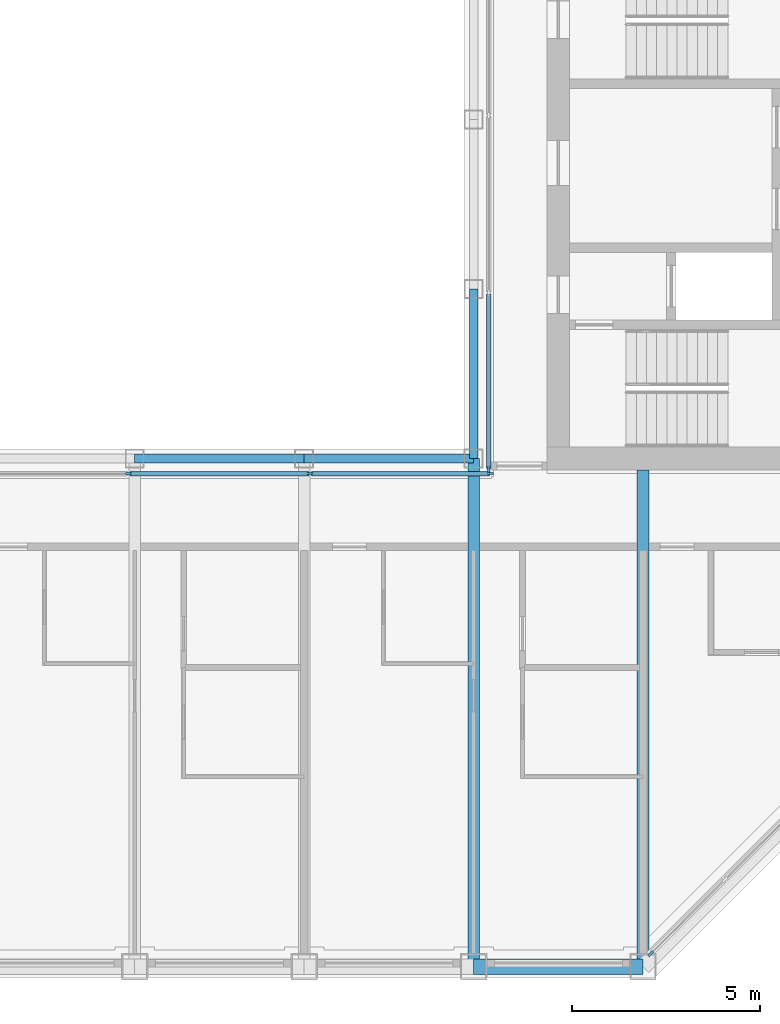
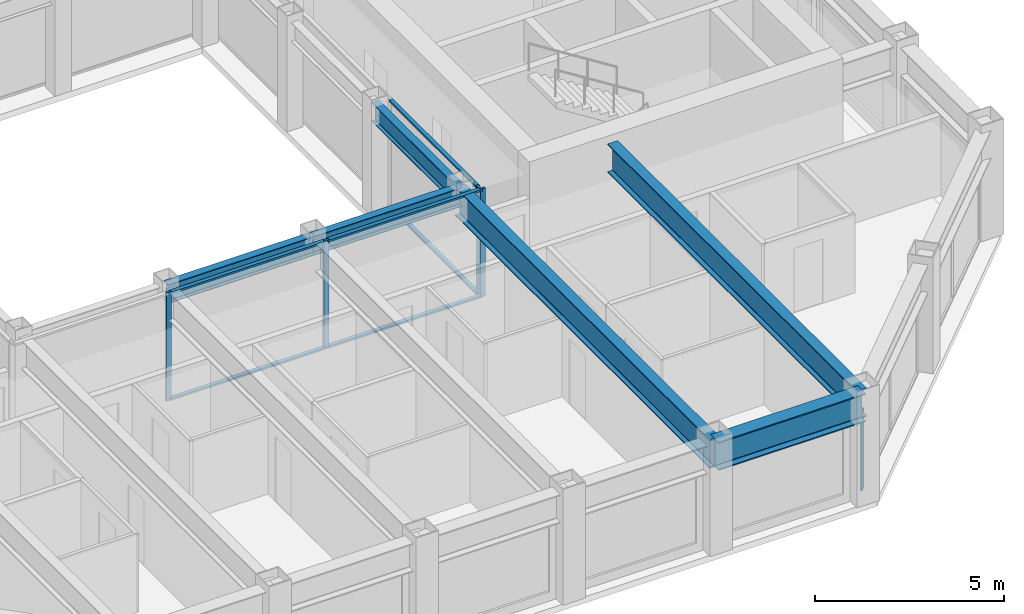
# One storey, part 3 of 17: 11 members, 6 beams, 3 elements without a shape of their own.
"""IFC4 building model written with IfcOpenShell, lengths in metres."""

import ifcopenshell
import ifcopenshell.guid

model = None  # the IFC model being written
_history = None  # IfcOwnerHistory: only IFC2X3 demands one
_inside = {}  # id of a spatial element -> (the spatial element, [elements in it])
_under = {}  # id of a project, library or spatial element -> (it, [spatial elements below it])
_declared = {}  # id of a project -> (the project, [libraries it declares])
_typed = {}  # id of a type object -> (the type object, [elements of that type])
_made_of = {}  # id of a material, layer set ... -> (it, [elements and type objects made of it])


def new_model(schema):
    """Start an empty IFC model of exactly this schema.

    Asked for "IFC4X3", IfcOpenShell would pick the latest addendum, in which some entities
    have other attributes; the version numbers below select the first issue.
    IFC2X3 requires an IfcOwnerHistory on every rooted entity: one is made here for all.
    """
    global model, _history
    if schema == "IFC4X3":
        model = ifcopenshell.file(schema_version=(4, 3, 0, 0))
    else:
        model = ifcopenshell.file(schema=schema)
    _inside.clear()
    _under.clear()
    _declared.clear()
    _typed.clear()
    _made_of.clear()
    _history = None
    if model.schema == "IFC2X3":
        org = make("IfcOrganization", Name="unknown")
        user = make(
            "IfcPersonAndOrganization",
            ThePerson=make("IfcPerson", FamilyName="unknown"),
            TheOrganization=org,
        )
        app = make(
            "IfcApplication",
            ApplicationDeveloper=org,
            Version="unknown",
            ApplicationFullName="unknown",
            ApplicationIdentifier="unknown",
        )
        _history = make(
            "IfcOwnerHistory",
            OwningUser=user,
            OwningApplication=app,
            ChangeAction="ADDED",
            CreationDate=0,
        )
    return model


def make(cls, **values):
    """One entity of the class cls with the attributes given. An attribute that is None is left unset."""
    return model.create_entity(
        cls, **{name: value for name, value in values.items() if value is not None}
    )


def rooted(cls, **values):
    """An entity with a GlobalId (a new one), such as an element, a storey or a relation."""
    return make(cls, GlobalId=ifcopenshell.guid.new(), OwnerHistory=_history, **values)


def si_unit(unit_type, name, prefix=None):
    """IfcSIUnit, for example si_unit("LENGTHUNIT", "METRE", prefix="MILLI")."""
    return make("IfcSIUnit", UnitType=unit_type, Prefix=prefix, Name=name)


def assignment(units):
    """IfcUnitAssignment: the units of a project."""
    return None if units is None else make("IfcUnitAssignment", Units=units)


def point(xyz):
    """IfcCartesianPoint."""
    return None if xyz is None else make("IfcCartesianPoint", Coordinates=xyz)


def direction(xyz):
    """IfcDirection."""
    return None if xyz is None else make("IfcDirection", DirectionRatios=xyz)


def frame(location, z_axis=None, x_axis=None):
    """IfcAxis2Placement3D, a coordinate frame: its origin and axes. An axis left out is left unset."""
    return make(
        "IfcAxis2Placement3D",
        Location=point(location),
        Axis=direction(z_axis),
        RefDirection=direction(x_axis),
    )


def frame_2d(location, x_axis=None):
    """IfcAxis2Placement2D, a coordinate frame in the plane: its origin and x axis."""
    return make(
        "IfcAxis2Placement2D", Location=point(location), RefDirection=direction(x_axis)
    )


def origin():
    """The frame at (0, 0, 0) with its axes left unset."""
    return frame((0.0, 0.0, 0.0))


def origin_2d():
    """The frame at (0, 0) in the plane with its x axis left unset."""
    return frame_2d((0.0, 0.0))


def place(relative_to, where):
    """IfcLocalPlacement: puts the frame where relative to a parent placement (None: the world)."""
    return make(
        "IfcLocalPlacement", PlacementRelTo=relative_to, RelativePlacement=where
    )


def context(
    kind, dimensions, precision=None, world=None, true_north=None, identifier=None
):
    """IfcGeometricRepresentationContext, for example the 3D "Model" context."""
    return make(
        "IfcGeometricRepresentationContext",
        ContextIdentifier=identifier,
        ContextType=kind,
        CoordinateSpaceDimension=dimensions,
        Precision=precision,
        WorldCoordinateSystem=world,
        TrueNorth=true_north,
    )


def subcontext(parent, identifier, kind, view, scale=None):
    """IfcGeometricRepresentationSubContext, for example "Body" below "Model"."""
    return make(
        "IfcGeometricRepresentationSubContext",
        ContextIdentifier=identifier,
        ContextType=kind,
        ParentContext=parent,
        TargetScale=scale,
        TargetView=view,
    )


def project(units=None, contexts=None):
    """IfcProject with its units and contexts."""
    return rooted(
        "IfcProject",
        Name="project",
        RepresentationContexts=contexts,
        UnitsInContext=assignment(units),
    )


def spatial(cls, under=None, at=None, **own):
    """A site, building, storey or space (cls), placed at a placement, below another one or the project."""
    s = rooted(cls, ObjectPlacement=at, **own)
    if under is not None:
        _under.setdefault(under.id(), (under, []))[1].append(s)
    return s


def profile(cls, at=None, kind="AREA", **sizes):
    """A parametric profile (cls). Its sizes go by their IFC names, for example OverallWidth=200.0."""
    return make(cls, ProfileType=kind, Position=at, **sizes)


def rectangle(**sizes):
    """IfcRectangleProfileDef."""
    return profile("IfcRectangleProfileDef", **sizes)


def i_section(**sizes):
    """IfcIShapeProfileDef."""
    return profile("IfcIShapeProfileDef", **sizes)


def extrude(swept, where, along, depth):
    """IfcExtrudedAreaSolid: the profile swept, set in the frame where, extruded along a direction by depth."""
    return make(
        "IfcExtrudedAreaSolid",
        SweptArea=swept,
        Position=where,
        ExtrudedDirection=direction(along),
        Depth=depth,
    )


def shape(context_of_items, identifier, shape_type, items):
    """IfcShapeRepresentation: the items that make up one representation, for example the "Body"."""
    return make(
        "IfcShapeRepresentation",
        ContextOfItems=context_of_items,
        RepresentationIdentifier=identifier,
        RepresentationType=shape_type,
        Items=items,
    )


def material(Name=None, Category=None):
    """IfcMaterial."""
    return make("IfcMaterial", Name=Name, Category=Category)


def material_profile(
    of_material, cross_section, Name=None, Category=None, Priority=None
):
    """IfcMaterialProfile: a cross section and its material."""
    return make(
        "IfcMaterialProfile",
        Name=Name,
        Material=of_material,
        Profile=cross_section,
        Priority=Priority,
        Category=Category,
    )


def profile_set(profiles, Name=None, composite=None):
    """IfcMaterialProfileSet."""
    return make(
        "IfcMaterialProfileSet",
        Name=Name,
        MaterialProfiles=profiles,
        CompositeProfile=composite,
    )


def made_of(thing, what):
    """Note that an element or type object is made of a material, layer set ...; save() writes the relation."""
    if what is not None:
        _made_of.setdefault(what.id(), (what, []))[1].append(thing)
    return thing


def type_object(cls, material=None, **own):
    """A type object (cls), such as IfcWallType, which elements share."""
    return made_of(rooted(cls, **own), material)


def element(
    cls,
    number,
    at=None,
    inside=None,
    cuts=None,
    type_object=None,
    material=None,
    context=None,
    identifier="Body",
    shape_type=None,
    held_by="IfcProductDefinitionShape",
    body=None,
    shapes=None,
    **own,
):
    """One element of the class cls, such as IfcWall. Its Tag is "e" and its number.

    at: its placement. inside: the storey or other place that contains it. cuts: it is an
    opening in that element (IfcRelVoidsElement). A single representation is given by context,
    identifier, shape_type and body (its items); several are given by shapes. held_by: the class
    of the entity that holds the representations. save() writes the other relations.
    """
    e = rooted(cls, Tag="e%d" % number, ObjectPlacement=at, **own)
    if body is not None:
        shapes = [shape(context, identifier, shape_type, body)]
    if shapes is not None:
        e.Representation = make(held_by, Representations=shapes)
    if inside is not None:
        _inside.setdefault(inside.id(), (inside, []))[1].append(e)
    if cuts is not None:
        rooted(
            "IfcRelVoidsElement", RelatingBuildingElement=cuts, RelatedOpeningElement=e
        )
    if type_object is not None:
        _typed.setdefault(type_object.id(), (type_object, []))[1].append(e)
    return made_of(e, material)


def aggregate(whole, parts):
    """IfcRelAggregates: a whole, such as a stair, and the parts it consists of."""
    return rooted("IfcRelAggregates", RelatingObject=whole, RelatedObjects=parts)


def save(model, path):
    """Write the relations noted so far, then the file.

    IfcRelAggregates (storeys below a building ...), IfcRelContainedInSpatialStructure (elements
    in a storey), IfcRelDefinesByType, IfcRelAssociatesMaterial and IfcRelDeclares: one each for
    every whole, place, type object, material and project.
    """
    for whole, parts in _under.values():
        aggregate(whole, parts)
    for where, things in _inside.values():
        rooted(
            "IfcRelContainedInSpatialStructure",
            RelatedElements=things,
            RelatingStructure=where,
        )
    for kind, things in _typed.values():
        rooted("IfcRelDefinesByType", RelatedObjects=things, RelatingType=kind)
    for what, things in _made_of.values():
        rooted("IfcRelAssociatesMaterial", RelatedObjects=things, RelatingMaterial=what)
    for by, libraries in _declared.values():
        rooted("IfcRelDeclares", RelatingContext=by, RelatedDefinitions=libraries)
    model.write(path)


model = new_model("IFC4")

# Units and contexts
model_context = context("Model", 3, precision=1e-05, world=origin(), true_north=direction((0.0, 1.0)))
body_context = subcontext(model_context, "Body", "Model", "MODEL_VIEW")
ifc_project = project(units=[si_unit("LENGTHUNIT", "METRE"), si_unit("AREAUNIT", "SQUARE_METRE"), si_unit("VOLUMEUNIT", "CUBIC_METRE"), si_unit("PLANEANGLEUNIT", "RADIAN"), si_unit("MASSUNIT", "GRAM", prefix="KILO")], contexts=[model_context])

# Site, building, storey
site_placement = place(None, origin())
site = spatial("IfcSite", under=ifc_project, at=site_placement, CompositionType="ELEMENT")
building_placement = place(site_placement, origin())
building = spatial("IfcBuilding", under=site, at=building_placement, Name="Msasa Ring Tower", CompositionType="ELEMENT")
storey_placement = place(building_placement, frame((0.0, 0.0, 253.300048828125)))
storey = spatial("IfcBuildingStorey", under=building, at=storey_placement, Name="L66", CompositionType="ELEMENT", Elevation=253.300048828125)

# Curtain wall, member
ifc_material_1 = material(Name="Aluminium curtain wall with clear glass", Category="aluminium")
curtain_wall_type_1 = type_object("IfcCurtainWallType", Name="CW-C CHAMFER CORNER CURTAIN WALL", PredefinedType="NOTDEFINED", material=ifc_material_1)
curtain_wall_1_placement = place(storey_placement, origin())
curtain_wall_1 = element("IfcCurtainWall", 1, at=curtain_wall_1_placement, inside=storey, type_object=curtain_wall_type_1, Name="Chamfer corner curtain wall SE L66", PredefinedType="NOTDEFINED")
ifc_material_2 = material(Name="Aluminium mullion", Category="aluminium")
ifc_material_profile_1 = material_profile(ifc_material_2, rectangle(XDim=0.06494140625, YDim=0.179931640625, at=origin_2d()), Name="AL 65x180")
ifc_profile_set_1 = profile_set([ifc_material_profile_1], Name="Aluminium mullion")
member_type_1 = type_object("IfcMemberType", Name="CW-C MULLION 65x180", PredefinedType="MULLION", material=ifc_profile_set_1)
member_1_placement = place(storey_placement, frame((11.453369140625, -19.9052734375, 0.0), z_axis=(0.0, 0.0, 1.0), x_axis=(-0.707106781187, 0.707106781187, 0.0)))
member_1 = element("IfcMember", 2, at=member_1_placement, type_object=member_type_1, Name="CW-C mullion 1", PredefinedType="MULLION", context=body_context, shape_type="SweptSolid", body=[
    extrude(rectangle(XDim=0.06494140625, YDim=0.179931640625, at=origin_2d()), origin(), (0.0, 0.0, 1.0), 2.578857421875),
])
aggregate(curtain_wall_1, [member_1])

# Curtain wall, members
ifc_material_3 = material(Name="Aluminium curtain wall with clear glass", Category="aluminium")
curtain_wall_type_2 = type_object("IfcCurtainWallType", Name="CW-W LIGHT WELL CURTAIN WALL", PredefinedType="NOTDEFINED", material=ifc_material_3)
curtain_wall_2_placement = place(storey_placement, origin())
curtain_wall_2 = element("IfcCurtainWall", 3, at=curtain_wall_2_placement, inside=storey, type_object=curtain_wall_type_2, Name="Light well curtain wall S L66", PredefinedType="NOTDEFINED")
ifc_material_4 = material(Name="Aluminium mullion", Category="aluminium")
ifc_material_profile_2 = material_profile(ifc_material_4, rectangle(XDim=0.06005859375, YDim=0.159912109375, at=origin_2d()), Name="AL 60x160")
ifc_profile_set_2 = profile_set([ifc_material_profile_2], Name="Aluminium mullion")
member_type_2 = type_object("IfcMemberType", Name="CW-W MULLION 60x160", PredefinedType="MULLION", material=ifc_profile_set_2)
member_2_placement = place(storey_placement, frame((-2.409912109375, -7.14990234375, 0.0), z_axis=(0.0, 0.0, 1.0), x_axis=(0.0, 1.0, 0.0)))
member_2 = element("IfcMember", 4, at=member_2_placement, type_object=member_type_2, Name="CW-W mullion 2", PredefinedType="MULLION", context=body_context, shape_type="SweptSolid", body=[
    extrude(rectangle(XDim=0.06005859375, YDim=0.159912109375, at=origin_2d()), origin(), (0.0, 0.0, 1.0), 3.5),
])
member_3_placement = place(storey_placement, frame((2.409912109375, -7.14990234375, 0.0), z_axis=(0.0, 0.0, 1.0), x_axis=(0.0, 1.0, 0.0)))
member_3 = element("IfcMember", 5, at=member_3_placement, type_object=member_type_2, Name="CW-W mullion 3", PredefinedType="MULLION", context=body_context, shape_type="SweptSolid", body=[
    extrude(rectangle(XDim=0.06005859375, YDim=0.159912109375, at=origin_2d()), origin(), (0.0, 0.0, 1.0), 3.5),
])
member_4_placement = place(storey_placement, frame((7.199951171875, -7.14990234375, 0.0), z_axis=(0.0, 0.0, 1.0), x_axis=(0.0, 1.0, 0.0)))
member_4 = element("IfcMember", 6, at=member_4_placement, type_object=member_type_2, Name="CW-W mullion 4", PredefinedType="MULLION", context=body_context, shape_type="SweptSolid", body=[
    extrude(rectangle(XDim=0.06005859375, YDim=0.159912109375, at=origin_2d()), origin(), (0.0, 0.0, 1.0), 3.5),
])

# Curtain wall, member
curtain_wall_3_placement = place(storey_placement, origin())
curtain_wall_3 = element("IfcCurtainWall", 7, at=curtain_wall_3_placement, inside=storey, type_object=curtain_wall_type_2, Name="Light well curtain wall E L66", PredefinedType="NOTDEFINED")
member_5_placement = place(storey_placement, frame((7.14990234375, -7.0400390625, 0.0), z_axis=(0.0, 0.0, 1.0), x_axis=(-1.0, 0.0, 0.0)))
member_5 = element("IfcMember", 8, at=member_5_placement, type_object=member_type_2, Name="CW-W mullion 1", PredefinedType="MULLION", context=body_context, shape_type="SweptSolid", body=[
    extrude(rectangle(XDim=0.06005859375, YDim=0.159912109375, at=origin_2d()), origin(), (0.0, 0.0, 1.0), 3.5),
])

# Member
ifc_material_5 = material(Name="Aluminium transom", Category="aluminium")
ifc_material_profile_3 = material_profile(ifc_material_5, rectangle(XDim=0.1201171875, YDim=0.06005859375, at=origin_2d()), Name="AL 60x120")
ifc_profile_set_3 = profile_set([ifc_material_profile_3], Name="Aluminium transom")
member_type_3 = type_object("IfcMemberType", Name="CW-W TRANSOM 60x120", PredefinedType="USERDEFINED", material=ifc_profile_set_3)
member_6_placement = place(storey_placement, frame((-2.3798828125, -7.14990234375, 0.030029296875), z_axis=(1.0, 0.0, 0.0), x_axis=(0.0, 1.0, 0.0)))
member_6 = element("IfcMember", 9, at=member_6_placement, type_object=member_type_3, Name="CW-W transom 2.1", ObjectType="TRANSOM", PredefinedType="USERDEFINED", context=body_context, shape_type="SweptSolid", body=[
    extrude(rectangle(XDim=0.1201171875, YDim=0.06005859375, at=origin_2d()), origin(), (0.0, 0.0, 1.0), 4.759765625),
])

member_7_placement = place(storey_placement, frame((-2.3798828125, -7.14990234375, 3.469970703125), z_axis=(1.0, 0.0, 0.0), x_axis=(0.0, 1.0, 0.0)))
member_7 = element("IfcMember", 10, at=member_7_placement, type_object=member_type_3, Name="CW-W transom 2.2", ObjectType="TRANSOM", PredefinedType="USERDEFINED", context=body_context, shape_type="SweptSolid", body=[
    extrude(rectangle(XDim=0.1201171875, YDim=0.06005859375, at=origin_2d()), origin(), (0.0, 0.0, 1.0), 4.759765625),
])

member_8_placement = place(storey_placement, frame((2.43994140625, -7.14990234375, 0.030029296875), z_axis=(1.0, 0.0, 0.0), x_axis=(0.0, 1.0, 0.0)))
member_8 = element("IfcMember", 11, at=member_8_placement, type_object=member_type_3, Name="CW-W transom 3.1", ObjectType="TRANSOM", PredefinedType="USERDEFINED", context=body_context, shape_type="SweptSolid", body=[
    extrude(rectangle(XDim=0.1201171875, YDim=0.06005859375, at=origin_2d()), origin(), (0.0, 0.0, 1.0), 4.72998046875),
])

member_9_placement = place(storey_placement, frame((2.43994140625, -7.14990234375, 3.469970703125), z_axis=(1.0, 0.0, 0.0), x_axis=(0.0, 1.0, 0.0)))
member_9 = element("IfcMember", 12, at=member_9_placement, type_object=member_type_3, Name="CW-W transom 3.2", ObjectType="TRANSOM", PredefinedType="USERDEFINED", context=body_context, shape_type="SweptSolid", body=[
    extrude(rectangle(XDim=0.1201171875, YDim=0.06005859375, at=origin_2d()), origin(), (0.0, 0.0, 1.0), 4.72998046875),
])

aggregate(curtain_wall_2, [member_2, member_3, member_4, member_6, member_7, member_8, member_9])

member_10_placement = place(storey_placement, frame((7.14990234375, -7.010009765625, 0.030029296875), z_axis=(0.0, 1.0, 0.0), x_axis=(-1.0, 0.0, 0.0)))
member_10 = element("IfcMember", 13, at=member_10_placement, type_object=member_type_3, Name="CW-W transom 1.1", ObjectType="TRANSOM", PredefinedType="USERDEFINED", context=body_context, shape_type="SweptSolid", body=[
    extrude(rectangle(XDim=0.1201171875, YDim=0.06005859375, at=origin_2d()), origin(), (0.0, 0.0, 1.0), 4.623291015625),
])

member_11_placement = place(storey_placement, frame((7.14990234375, -7.010009765625, 3.469970703125), z_axis=(0.0, 1.0, 0.0), x_axis=(-1.0, 0.0, 0.0)))
member_11 = element("IfcMember", 14, at=member_11_placement, type_object=member_type_3, Name="CW-W transom 1.2", ObjectType="TRANSOM", PredefinedType="USERDEFINED", context=body_context, shape_type="SweptSolid", body=[
    extrude(rectangle(XDim=0.1201171875, YDim=0.06005859375, at=origin_2d()), origin(), (0.0, 0.0, 1.0), 4.623291015625),
])

aggregate(curtain_wall_3, [member_5, member_10, member_11])

# Beams
ifc_material_6 = material(Name="Steel S355", Category="steel")
ifc_material_profile_4 = material_profile(ifc_material_6, i_section(OverallWidth=0.3076171875, OverallDepth=0.926513671875, WebThickness=0.01953125, FlangeThickness=0.031982421875, FilletRadius=0.01904296875, at=origin_2d()), Name="UB 914x305x289")
ifc_profile_set_4 = profile_set([ifc_material_profile_4], Name="Steel S355")
beam_type_1 = type_object("IfcBeamType", Name="FB3 UB 914x305x289", PredefinedType="BEAM", material=ifc_profile_set_4)
beam_1_placement = place(storey_placement, frame((6.75, -20.25, 3.03662109375), z_axis=(0.0, 1.0, 0.0), x_axis=(-1.0, 0.0, 0.0)))
element("IfcBeam", 15, at=beam_1_placement, inside=storey, type_object=beam_type_1, Name="Floor beam S+6.75 under L67", PredefinedType="BEAM", context=body_context, shape_type="SweptSolid", body=[
    extrude(i_section(OverallWidth=0.3076171875, OverallDepth=0.926513671875, WebThickness=0.01953125, FlangeThickness=0.031982421875, FilletRadius=0.01904296875, at=origin_2d()), origin(), (0.0, 0.0, 1.0), 13.5),
])
beam_2_placement = place(storey_placement, frame((11.25, -20.25, 3.03662109375), z_axis=(0.0, 1.0, 0.0), x_axis=(-1.0, 0.0, 0.0)))
element("IfcBeam", 16, at=beam_2_placement, inside=storey, type_object=beam_type_1, Name="Floor beam S+11.25 under L67", PredefinedType="BEAM", context=body_context, shape_type="SweptSolid", body=[
    extrude(i_section(OverallWidth=0.3076171875, OverallDepth=0.926513671875, WebThickness=0.01953125, FlangeThickness=0.031982421875, FilletRadius=0.01904296875, at=origin_2d()), origin(), (0.0, 0.0, 1.0), 13.199951171875),
])
ifc_material_7 = material(Name="Steel S355", Category="steel")
ifc_material_profile_5 = material_profile(ifc_material_7, i_section(OverallWidth=0.230224609375, OverallDepth=0.6171875, WebThickness=0.01318359375, FlangeThickness=0.022216796875, FilletRadius=0.0126953125, at=origin_2d()), Name="UB 610x229x140")
ifc_profile_set_5 = profile_set([ifc_material_profile_5], Name="Steel S355")
beam_type_2 = type_object("IfcBeamType", Name="RB1 UB 610x229x140", PredefinedType="BEAM", material=ifc_profile_set_5)
for number, where, z_axis, x_axis, name in (
    (17, (-2.25, -6.75, 3.19140625), (1.0, 0.0, 0.0), (0.0, 1.0, 0.0), "Inner ring beam IR-2.25-6.75 under L67"),
    (18, (2.25, -6.75, 3.19140625), (1.0, 0.0, 0.0), (0.0, 1.0, 0.0), "Inner ring beam IR+2.25-6.75 under L67"),
    (19, (6.75, -6.75, 3.19140625), (0.0, 1.0, 0.0), (-1.0, 0.0, 0.0), "Inner ring beam IR+6.75-6.75 under L67"),
):
    element("IfcBeam", number, at=place(storey_placement, frame(where, z_axis=z_axis, x_axis=x_axis)), inside=storey, type_object=beam_type_2, Name=name, PredefinedType="BEAM", context=body_context, shape_type="SweptSolid", body=[
        extrude(i_section(OverallWidth=0.230224609375, OverallDepth=0.6171875, WebThickness=0.01318359375, FlangeThickness=0.022216796875, FilletRadius=0.0126953125, at=origin_2d()), origin(), (0.0, 0.0, 1.0), 4.5),
    ])
ifc_material_8 = material(Name="Steel S355", Category="steel")
ifc_material_profile_6 = material_profile(ifc_material_8, i_section(OverallWidth=0.42041015625, OverallDepth=0.9208984375, WebThickness=0.021484375, FlangeThickness=0.03662109375, FilletRadius=0.024169921875, at=origin_2d()), Name="UB 914x419x388")
ifc_profile_set_6 = profile_set([ifc_material_profile_6], Name="Steel S355")
beam_type_3 = type_object("IfcBeamType", Name="SB1 UB 914x419x388", PredefinedType="SPANDREL", material=ifc_profile_set_6)
beam_3_placement = place(storey_placement, frame((6.75, -20.25, 3.03955078125), z_axis=(1.0, 0.0, 0.0), x_axis=(0.0, 1.0, 0.0)))
element("IfcBeam", 20, at=beam_3_placement, inside=storey, type_object=beam_type_3, Name="Spandrel S+6.75 to S+11.25 under L67", PredefinedType="SPANDREL", context=body_context, shape_type="SweptSolid", body=[
    extrude(i_section(OverallWidth=0.42041015625, OverallDepth=0.9208984375, WebThickness=0.021484375, FlangeThickness=0.03662109375, FilletRadius=0.024169921875, at=origin_2d()), origin(), (0.0, 0.0, 1.0), 4.5),
])

save(model, "model.ifc")
